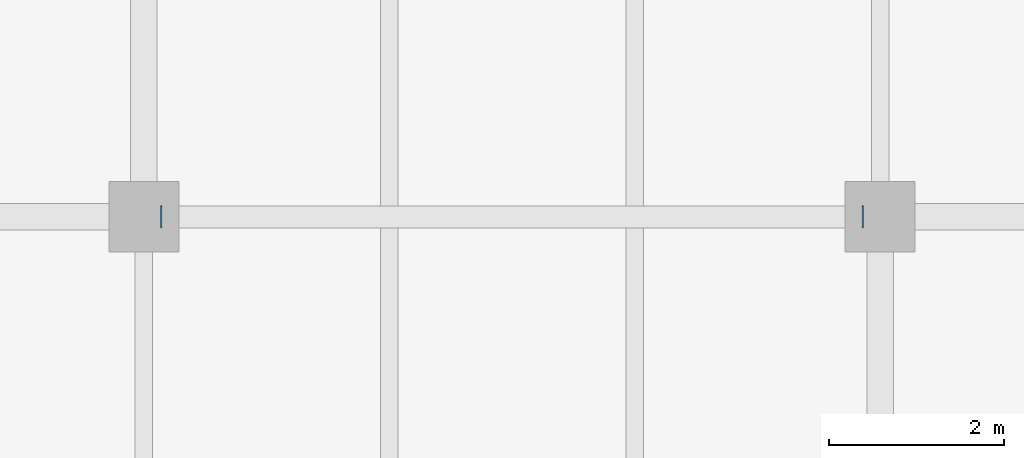
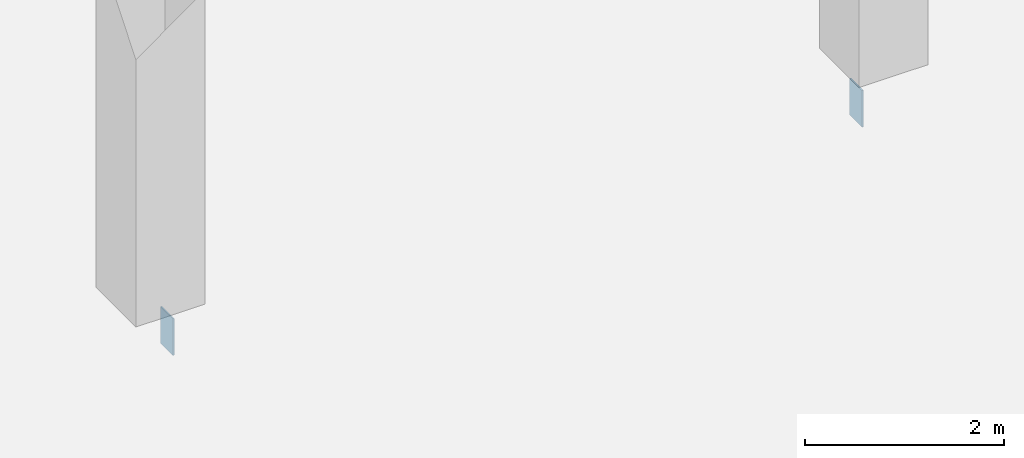
# One storey, part 85 of 110: 2 discrete accessories.
"""IFC4 building model written with IfcOpenShell, lengths in metres."""

from ifc_helpers import new_model, si_unit, direction, frame, origin, origin_2d, place, context, subcontext, project, spatial, rectangle, extrude, material, type_object, element, save


model = new_model("IFC4")

# Units and contexts
model_context = context("Model", 3, precision=1e-05, world=origin(), true_north=direction((0.0, 1.0)))
body_context = subcontext(model_context, "Body", "Model", "MODEL_VIEW")
ifc_project = project(units=[si_unit("LENGTHUNIT", "METRE"), si_unit("AREAUNIT", "SQUARE_METRE"), si_unit("VOLUMEUNIT", "CUBIC_METRE"), si_unit("PLANEANGLEUNIT", "RADIAN"), si_unit("MASSUNIT", "GRAM", prefix="KILO"), si_unit("THERMODYNAMICTEMPERATUREUNIT", "KELVIN")], contexts=[model_context])

# Site, building, storey
site_placement = place(None, origin())
site = spatial("IfcSite", under=ifc_project, at=site_placement, CompositionType="ELEMENT")
building_placement = place(site_placement, origin())
building = spatial("IfcBuilding", under=site, at=building_placement, Name="Lustrewick Department Store", CompositionType="ELEMENT")
storey_placement = place(building_placement, frame((0.0, 0.0, 6.0)))
storey = spatial("IfcBuildingStorey", under=building, at=storey_placement, Name="L02", CompositionType="ELEMENT", Elevation=6.0)

# Discrete accessories
ifc_material = material(Name="Structural steel Q355C", Category="steel")
discrete_accessory_type = type_object("IfcDiscreteAccessoryType", Name="ECP-01", PredefinedType="USERDEFINED", material=ifc_material)
for number, where, z_axis, x_axis, name in (
    (1, (159.393798828125, 67.199951171875, -0.47998046875), (1.0, 0.0, 0.0), (0.0, 1.0, 0.0), "L02 Welded Hollow-Section End-Cap Plate ECP-01"),
    (2, (151.406005859375, 67.199951171875, -0.47998046875), (-1.0, 0.0, 0.0), (0.0, 1.0, 0.0), "L02 Welded Hollow-Section End-Cap Plate ECP-01"),
):
    element("IfcDiscreteAccessory", number, at=place(storey_placement, frame(where, z_axis=z_axis, x_axis=x_axis)), inside=storey, type_object=discrete_accessory_type, Name=name, ObjectType="END_CAP_PLATE", PredefinedType="USERDEFINED", context=body_context, shape_type="SweptSolid", body=[
        extrude(rectangle(XDim=0.25, YDim=0.449951171875, at=origin_2d()), origin(), (0.0, 0.0, 1.0), 0.01611328125),
    ])

save(model, "model.ifc")
